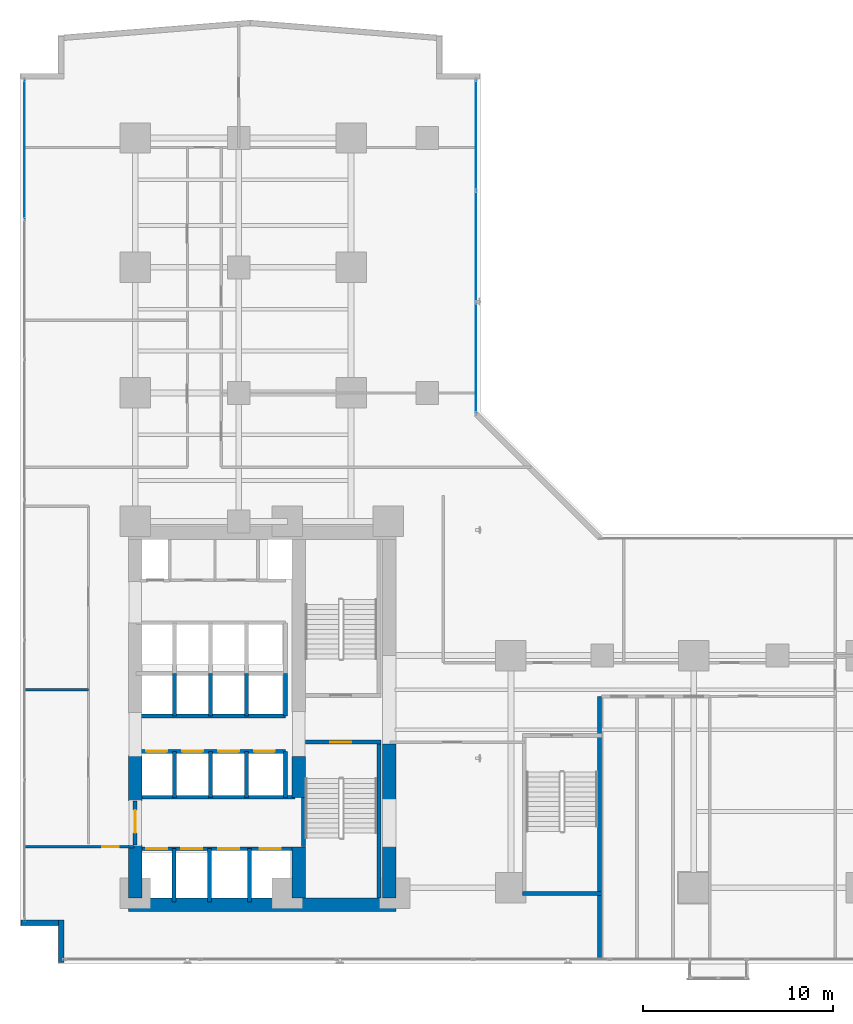
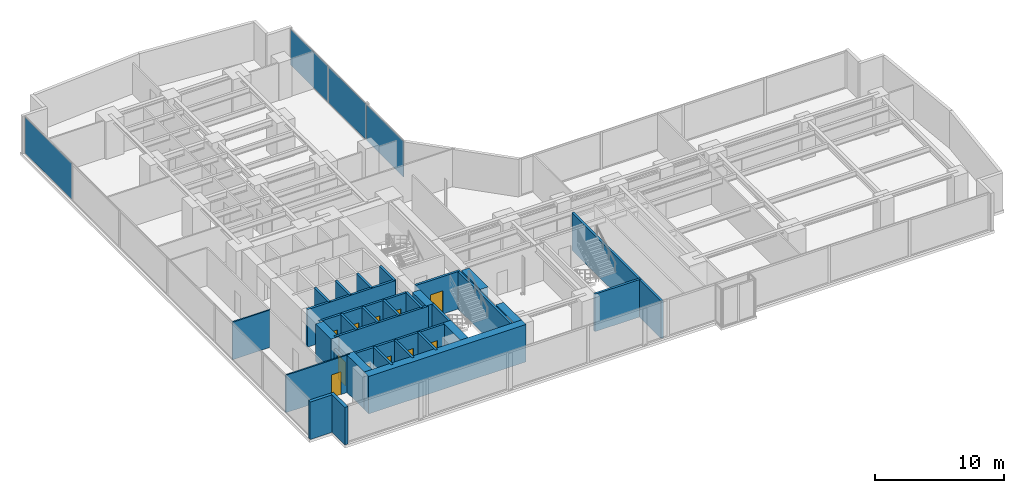
# One storey, part 22 of 28: 32 walls, 11 doors, 4 plates, 11 openings, 2 elements without a shape of their own.
"""IFC4 building model written with IfcOpenShell, lengths in metres."""

from ifc_helpers import new_model, si_unit, direction, frame, frame_2d, origin, origin_with_axes, origin_2d, place, context, subcontext, project, spatial, rectangle, extrude, source, transform, mapped, material, layer, layer_set, type_object, element, fill, aggregate, save


model = new_model("IFC4")

# Units and contexts
model_context = context("Model", 3, precision=1e-05, world=origin(), true_north=direction((0.0, 1.0)))
body_context = subcontext(model_context, "Body", "Model", "MODEL_VIEW")
ifc_project = project(units=[si_unit("LENGTHUNIT", "METRE"), si_unit("AREAUNIT", "SQUARE_METRE"), si_unit("VOLUMEUNIT", "CUBIC_METRE"), si_unit("PLANEANGLEUNIT", "RADIAN"), si_unit("MASSUNIT", "GRAM", prefix="KILO")], contexts=[model_context])

# Site, building, storey
site_placement = place(None, origin())
site = spatial("IfcSite", under=ifc_project, at=site_placement, CompositionType="ELEMENT")
building_placement = place(site_placement, origin())
building = spatial("IfcBuilding", under=site, at=building_placement, Name="Kolvaren Waterfront Exchange", CompositionType="ELEMENT")
storey_placement = place(building_placement, frame((0.0, 0.0, 41.0)))
storey = spatial("IfcBuildingStorey", under=building, at=storey_placement, Name="L10", CompositionType="ELEMENT", Elevation=41.0)

# Curtain wall, plate
ifc_material_1 = material(Name="Anodised aluminium 6063-T6", Category="aluminium")
ifc_layer_1 = layer(ifc_material_1, 0.219970703125, Name="Anodised aluminium 6063-T6")
ifc_layer_set_1 = layer_set([ifc_layer_1], Name="Anodised aluminium 6063-T6")
curtain_wall_type_1 = type_object("IfcCurtainWallType", Name="ARC-CW-SYS2", PredefinedType="USERDEFINED", material=ifc_layer_set_1)
curtain_wall_1_placement = place(storey_placement, origin())
curtain_wall_1 = element("IfcCurtainWall", 1, at=curtain_wall_1_placement, inside=storey, type_object=curtain_wall_type_1, Name="L10 stick curtain wall CW2 (CW-L10-W)", ObjectType="STICK CURTAIN WALL", PredefinedType="USERDEFINED")
ifc_material_2 = material(Name="Acoustic laminated vision glass", Category="glass")
ifc_layer_2 = layer(ifc_material_2, 0.031982421875, Name="Acoustic laminated vision glass")
ifc_layer_set_2 = layer_set([ifc_layer_2], Name="Acoustic laminated vision glass")
plate_type_1 = type_object("IfcPlateType", Name="ARC-CWP-32", PredefinedType="CURTAIN_PANEL", material=ifc_layer_set_2)
shared_shape_1 = source(origin_with_axes(), body_context, "Body", "SweptSolid", [
    extrude(rectangle(XDim=7.24658203125, YDim=0.031982421875, at=origin_2d()), origin(), (0.0, 0.0, 1.0), 3.389892578125),
])
plate_1_placement = place(storey_placement, frame((1.639892578125, 43.99658203125, 0.0751953125), z_axis=(0.0, 0.0, 1.0), x_axis=(0.0, 1.0, 0.0)))
plate_1 = element("IfcPlate", 2, at=plate_1_placement, type_object=plate_type_1, Name="CW2 panel 6.1", PredefinedType="CURTAIN_PANEL", context=body_context, shape_type="MappedRepresentation", body=[
    mapped(shared_shape_1, transform((0.0, 0.0, 0.0), x_axis=(1.0, 0.0, 0.0), y_axis=(0.0, 1.0, 0.0), z_axis=(0.0, 0.0, 1.0), scale=1.0)),
])
aggregate(curtain_wall_1, [plate_1])

# Curtain wall, plates
ifc_material_3 = material(Name="Anodised bronze aluminium 6063-T6", Category="aluminium")
ifc_layer_3 = layer(ifc_material_3, 0.219970703125, Name="Anodised bronze aluminium 6063-T6")
ifc_layer_set_3 = layer_set([ifc_layer_3], Name="Anodised bronze aluminium 6063-T6")
curtain_wall_type_2 = type_object("IfcCurtainWallType", Name="ARC-CW-SYS1", PredefinedType="USERDEFINED", material=ifc_layer_set_3)
curtain_wall_2_placement = place(storey_placement, origin())
curtain_wall_2 = element("IfcCurtainWall", 3, at=curtain_wall_2_placement, inside=storey, type_object=curtain_wall_type_2, Name="L10 stick curtain wall CW1 (CW-L10-NE)", ObjectType="STICK CURTAIN WALL", PredefinedType="USERDEFINED")
ifc_material_4 = material(Name="Bronze solar control vision glass", Category="aluminium")
ifc_layer_4 = layer(ifc_material_4, 0.028076171875, Name="Bronze solar control vision glass")
ifc_layer_set_4 = layer_set([ifc_layer_4], Name="Bronze solar control vision glass")
plate_type_2 = type_object("IfcPlateType", Name="ARC-CWP-28", PredefinedType="CURTAIN_PANEL", material=ifc_layer_set_4)
shared_shape_2 = source(origin_with_axes(), body_context, "Body", "SweptSolid", [
    extrude(rectangle(XDim=5.75, YDim=0.028076171875, at=origin_2d()), origin(), (0.0, 0.0, 1.0), 3.389892578125),
])
plate_2_placement = place(storey_placement, frame((25.360107421875, 33.044921875, 0.0751953125), z_axis=(0.0, 0.0, 1.0), x_axis=(0.0, 1.0, 0.0)))
plate_2 = element("IfcPlate", 4, at=plate_2_placement, type_object=plate_type_2, Name="CW1 panel 1.1", PredefinedType="CURTAIN_PANEL", context=body_context, shape_type="MappedRepresentation", body=[
    mapped(shared_shape_2, transform((0.0, 0.0, 0.0), x_axis=(1.0, 0.0, 0.0), y_axis=(0.0, 1.0, 0.0), z_axis=(0.0, 0.0, 1.0), scale=1.0)),
])
plate_3_placement = place(storey_placement, frame((25.360107421875, 44.7451171875, 0.0751953125), z_axis=(0.0, 0.0, 1.0), x_axis=(0.0, 1.0, 0.0)))
plate_3 = element("IfcPlate", 5, at=plate_3_placement, type_object=plate_type_2, Name="CW1 panel 3.1", PredefinedType="CURTAIN_PANEL", context=body_context, shape_type="MappedRepresentation", body=[
    mapped(shared_shape_2, transform((0.0, 0.0, 0.0), x_axis=(1.0, 0.0, 0.0), y_axis=(0.0, 1.0, 0.0), z_axis=(0.0, 0.0, 1.0), scale=1.0)),
])
shared_shape_3 = source(origin_with_axes(), body_context, "Body", "SweptSolid", [
    extrude(rectangle(XDim=5.7900390625, YDim=0.028076171875, at=origin_2d()), origin(), (0.0, 0.0, 1.0), 3.389892578125),
])
plate_4_placement = place(storey_placement, frame((25.360107421875, 38.89501953125, 0.0751953125), z_axis=(0.0, 0.0, 1.0), x_axis=(0.0, 1.0, 0.0)))
plate_4 = element("IfcPlate", 6, at=plate_4_placement, type_object=plate_type_2, Name="CW1 panel 2.1", PredefinedType="CURTAIN_PANEL", context=body_context, shape_type="MappedRepresentation", body=[
    mapped(shared_shape_3, transform((0.0, 0.0, 0.0), x_axis=(1.0, 0.0, 0.0), y_axis=(0.0, 1.0, 0.0), z_axis=(0.0, 0.0, 1.0), scale=1.0)),
])
aggregate(curtain_wall_2, [plate_2, plate_4, plate_3])

# Walls
ifc_material_5 = material(Name="Precast concrete C40/50", Category="concrete")
ifc_layer_5 = layer(ifc_material_5, 0.280029296875, Name="Precast concrete C40/50")
ifc_layer_set_5 = layer_set([ifc_layer_5], Name="Precast concrete C40/50")
wall_type_1 = type_object("IfcWallType", Name="ARC-EXT-TERR-280", PredefinedType="SOLIDWALL", material=ifc_layer_set_5)
wall_1_placement = place(storey_placement, frame((3.56005859375, 1.260009765625, 0.0), z_axis=(0.0, 0.0, 1.0), x_axis=(0.0, 1.0, 0.0)))
element("IfcWall", 7, at=wall_1_placement, inside=storey, type_object=wall_type_1, Name="L10 notched corner spandrel pier SW-A", PredefinedType="SOLIDWALL", context=body_context, shape_type="SweptSolid", body=[
    extrude(rectangle(XDim=2.239990234375, YDim=0.280029296875, at=frame_2d((1.1201171875, 0.0))), origin(), (0.0, 0.0, 1.0), 3.5400390625),
])
wall_2_placement = place(storey_placement, frame((1.4599609375, 3.360107421875, 0.0), z_axis=(0.0, 0.0, 1.0), x_axis=(1.0, 0.0, 0.0)))
element("IfcWall", 8, at=wall_2_placement, inside=storey, type_object=wall_type_1, Name="L10 notched corner spandrel pier SW-B", PredefinedType="SOLIDWALL", context=body_context, shape_type="SweptSolid", body=[
    extrude(rectangle(XDim=1.9599609375, YDim=0.280029296875, at=frame_2d((0.97998046875, 0.0))), origin(), (0.0, 0.0, 1.0), 3.5400390625),
])

# Wall, opening, door
ifc_layer_6 = layer(ifc_material_5, 0.199951171875, Name="Precast concrete C40/50")
ifc_layer_set_6 = layer_set([ifc_layer_6], Name="Precast concrete C40/50")
wall_type_2 = type_object("IfcWallType", Name="ARC-FIRE-200", PredefinedType="PARTITIONING", material=ifc_layer_set_6)
wall_3_placement = place(storey_placement, frame((16.39990234375, 12.85009765625, 0.0), z_axis=(0.0, 0.0, 1.0), x_axis=(1.0, 0.0, 0.0)))
wall_3 = element("IfcWall", 9, at=wall_3_placement, inside=storey, type_object=wall_type_2, Name="L10 interior wall PW-L10-ST1-THROAT-S", PredefinedType="PARTITIONING", context=body_context, shape_type="SweptSolid", body=[
    extrude(rectangle(XDim=3.960205078125, YDim=0.199951171875, at=frame_2d((1.97998046875, 0.0))), origin(), (0.0, 0.0, 1.0), 3.5400390625),
])
opening_1_placement = place(wall_3_placement, frame((1.3037109375, 0.0, 0.0)))
opening_1 = element("IfcOpeningElement", 10, at=opening_1_placement, cuts=wall_3, Name="Opening FD2", PredefinedType="OPENING", context=body_context, shape_type="SweptSolid", body=[
    extrude(rectangle(XDim=1.10009765625, YDim=2.199951171875, at=frame_2d((0.550048828125, 1.10009765625))), frame((0.0, 0.10986328125, 0.0), z_axis=(0.0, -1.0, 0.0), x_axis=(1.0, 0.0, 0.0)), (0.0, 0.0, 1.0), 0.219970703125),
])
ifc_material_6 = material(Name="Pressed steel smoke-seal fire door", Category="steel")
door_type_1 = type_object("IfcDoorType", Name="ARC-FD-1100", OperationType="NOTDEFINED", PredefinedType="DOOR", material=ifc_material_6)
door_1_placement = place(opening_1_placement, frame((1.10009765625, 0.0, 0.0), z_axis=(0.0, 0.0, 1.0), x_axis=(-1.0, 0.0, 0.0)))
door_1 = element("IfcDoor", 11, at=door_1_placement, inside=storey, type_object=door_type_1, Name="L10 door DR-L10-ST1-IN (FD2)", OperationType="SINGLE_SWING_LEFT", OverallHeight=2.199951171875, OverallWidth=1.10009765625, PredefinedType="DOOR", context=body_context, shape_type="SweptSolid", body=[
    extrude(rectangle(XDim=1.10009765625, YDim=2.199951171875, at=frame_2d((0.550048828125, 1.10009765625))), frame((0.0, 0.02490234375, 0.0), z_axis=(0.0, -1.0, 0.0), x_axis=(1.0, 0.0, 0.0)), (0.0, 0.0, 1.0), 0.050048828125),
])
fill(opening_1, door_1)

# Wall
wall_4_placement = place(storey_placement, frame((7.5, 9.949951171875, 0.0), z_axis=(0.0, 0.0, 1.0), x_axis=(1.0, 0.0, 0.0)))
element("IfcWall", 12, at=wall_4_placement, inside=storey, type_object=wall_type_2, Name="L10 interior wall PW-L10-FF-N", PredefinedType="PARTITIONING", context=body_context, shape_type="SweptSolid", body=[
    extrude(rectangle(XDim=8.35009765625, YDim=0.199951171875, at=frame_2d((4.175048828125, 0.0))), origin(), (0.0, 0.0, 1.0), 3.5400390625),
])

# Wall, opening, door
wall_5_placement = place(storey_placement, frame((7.449951171875, 7.449951171875, 0.0), z_axis=(0.0, 0.0, 1.0), x_axis=(0.0, 1.0, 0.0)))
wall_5 = element("IfcWall", 13, at=wall_5_placement, inside=storey, type_object=wall_type_2, Name="L10 interior wall PW-L10-FF-W-DOOR", PredefinedType="PARTITIONING", context=body_context, shape_type="SweptSolid", body=[
    extrude(rectangle(XDim=2.300048828125, YDim=0.199951171875, at=frame_2d((1.14990234375, 0.0))), origin(), (0.0, 0.0, 1.0), 2.52001953125),
])
opening_2_placement = place(wall_5_placement, frame((0.63330078125, 0.0, 0.0)))
opening_2 = element("IfcOpeningElement", 14, at=opening_2_placement, cuts=wall_5, Name="Opening FD3", PredefinedType="OPENING", context=body_context, shape_type="SweptSolid", body=[
    extrude(rectangle(XDim=1.199951171875, YDim=2.25, at=frame_2d((0.60009765625, 1.125))), frame((0.0, 0.10986328125, 0.0), z_axis=(0.0, -1.0, 0.0), x_axis=(1.0, 0.0, 0.0)), (0.0, 0.0, 1.0), 0.219970703125),
])
ifc_material_7 = material(Name="Pressed steel fire door", Category="steel")
door_type_2 = type_object("IfcDoorType", Name="ARC-FD-1200", OperationType="NOTDEFINED", PredefinedType="DOOR", material=ifc_material_7)
door_2_placement = place(opening_2_placement, frame((1.199951171875, 0.0, 0.0), z_axis=(0.0, 0.0, 1.0), x_axis=(-1.0, 0.0, 0.0)))
door_2 = element("IfcDoor", 15, at=door_2_placement, inside=storey, type_object=door_type_2, Name="L10 door DR-L10-FF-OUT (FD3)", OperationType="SINGLE_SWING_RIGHT", OverallHeight=2.25, OverallWidth=1.199951171875, PredefinedType="DOOR", context=body_context, shape_type="SweptSolid", body=[
    extrude(rectangle(XDim=1.199951171875, YDim=2.25, at=frame_2d((0.60009765625, 1.125))), frame((0.0, 0.02490234375, 0.0), z_axis=(0.0, -1.0, 0.0), x_axis=(1.0, 0.0, 0.0)), (0.0, 0.0, 1.0), 0.050048828125),
])
fill(opening_2, door_2)

ifc_material_8 = material(Name="Acoustic gypsum steel stud", Category="steel")
ifc_layer_7 = layer(ifc_material_8, 0.125, Name="Acoustic gypsum steel stud")
ifc_layer_set_7 = layer_set([ifc_layer_7], Name="Acoustic gypsum steel stud")
wall_type_3 = type_object("IfcWallType", Name="ARC-PART-125", PredefinedType="PARTITIONING", material=ifc_layer_set_7)
wall_6_placement = place(storey_placement, frame((1.639892578125, 7.35009765625, 0.0), z_axis=(0.0, 0.0, 1.0), x_axis=(1.0, 0.0, 0.0)))
wall_6 = element("IfcWall", 16, at=wall_6_placement, inside=storey, type_object=wall_type_3, Name="L10 interior wall PW-L10-SWC-N", PredefinedType="PARTITIONING", context=body_context, shape_type="SweptSolid", body=[
    extrude(rectangle(XDim=5.760009765625, YDim=0.125, at=frame_2d((2.8798828125, 0.0))), origin(), (0.0, 0.0, 1.0), 3.5400390625),
])
opening_3_placement = place(wall_6_placement, frame((4.086669921875, 0.0, 0.0)))
opening_3 = element("IfcOpeningElement", 17, at=opening_3_placement, cuts=wall_6, Name="Opening D01", PredefinedType="OPENING", context=body_context, shape_type="SweptSolid", body=[
    extrude(rectangle(XDim=0.85009765625, YDim=2.14990234375, at=frame_2d((0.425048828125, 1.074951171875))), frame((0.0, 0.072509765625, 0.0), z_axis=(0.0, -1.0, 0.0), x_axis=(1.0, 0.0, 0.0)), (0.0, 0.0, 1.0), 0.14501953125),
])
ifc_material_9 = material(Name="Oak veneer timber leaf", Category="wood")
door_type_3 = type_object("IfcDoorType", Name="ARC-DR-900", OperationType="NOTDEFINED", PredefinedType="DOOR", material=ifc_material_9)
door_3_placement = place(opening_3_placement, origin())
door_3 = element("IfcDoor", 18, at=door_3_placement, inside=storey, type_object=door_type_3, Name="L10 door DR-L10-SWC-D (D01)", OperationType="SINGLE_SWING_LEFT", OverallHeight=2.14990234375, OverallWidth=0.85009765625, PredefinedType="DOOR", context=body_context, shape_type="SweptSolid", body=[
    extrude(rectangle(XDim=0.85009765625, YDim=2.14990234375, at=frame_2d((0.425048828125, 1.074951171875))), frame((0.0, 0.02490234375, 0.0), z_axis=(0.0, -1.0, 0.0), x_axis=(1.0, 0.0, 0.0)), (0.0, 0.0, 1.0), 0.050048828125),
])
fill(opening_3, door_3)

# Walls
wall_7_placement = place(storey_placement, frame((1.639892578125, 15.60009765625, 0.0), z_axis=(0.0, 0.0, 1.0), x_axis=(1.0, 0.0, 0.0)))
element("IfcWall", 19, at=wall_7_placement, inside=storey, type_object=wall_type_3, Name="L10 interior wall PW-L10-WFLANK-MID", PredefinedType="PARTITIONING", context=body_context, shape_type="SweptSolid", body=[
    extrude(rectangle(XDim=3.360107421875, YDim=0.125, at=frame_2d((1.68017578125, 0.0))), origin(), (0.0, 0.0, 1.0), 3.5400390625),
])
ifc_material_10 = material(Name="Concrete C40/50", Category="concrete")
ifc_layer_8 = layer(ifc_material_10, 0.199951171875, Name="Concrete C40/50")
ifc_layer_set_8 = layer_set([ifc_layer_8], Name="Concrete C40/50")
wall_type_4 = type_object("IfcWallType", Name="ARC-SHAFT-200", PredefinedType="PARTITIONING", material=ifc_layer_set_8)
wall_8_placement = place(storey_placement, frame((16.300048828125, 7.360107421875, 0.0), z_axis=(0.0, 0.0, 1.0), x_axis=(0.0, 1.0, 0.0)))
element("IfcWall", 20, at=wall_8_placement, inside=storey, type_object=wall_type_4, Name="L10 structural stairwell wall PW-L10-ST1-W", PredefinedType="SHEAR", context=body_context, shape_type="SweptSolid", body=[
    extrude(rectangle(XDim=2.579833984375, YDim=0.199951171875, at=frame_2d((1.2900390625, 0.0))), origin(), (0.0, 0.0, 1.0), 3.5400390625),
])
wall_9_placement = place(storey_placement, frame((20.260009765625, 4.659912109375, 0.0), z_axis=(0.0, 0.0, 1.0), x_axis=(0.0, 1.0, 0.0)))
element("IfcWall", 21, at=wall_9_placement, inside=storey, type_object=wall_type_4, Name="L10 structural stairwell wall PW-L10-ST1-E", PredefinedType="SHEAR", context=body_context, shape_type="SweptSolid", body=[
    extrude(rectangle(XDim=8.090087890625, YDim=0.199951171875, at=frame_2d((4.044921875, 0.0))), origin(), (0.0, 0.0, 1.0), 3.5400390625),
])
wall_10_placement = place(storey_placement, frame((31.860107421875, 1.43994140625, 0.0), z_axis=(0.0, 0.0, 1.0), x_axis=(0.0, 1.0, 0.0)))
element("IfcWall", 22, at=wall_10_placement, inside=storey, type_object=wall_type_4, Name="L10 structural stairwell wall PW-L10-ST3-E", PredefinedType="SHEAR", context=body_context, shape_type="SweptSolid", body=[
    extrude(rectangle(XDim=13.81005859375, YDim=0.199951171875, at=frame_2d((6.905029296875, 0.0))), origin(), (0.0, 0.0, 1.0), 3.5400390625),
])
wall_11_placement = place(storey_placement, frame((27.800048828125, 4.89990234375, 0.0), z_axis=(0.0, 0.0, 1.0), x_axis=(1.0, 0.0, 0.0)))
element("IfcWall", 23, at=wall_11_placement, inside=storey, type_object=wall_type_4, Name="L10 structural stairwell wall PW-L10-ST3-S", PredefinedType="SHEAR", context=body_context, shape_type="SweptSolid", body=[
    extrude(rectangle(XDim=4.159912109375, YDim=0.199951171875, at=frame_2d((2.080078125, 0.0))), origin(), (0.0, 0.0, 1.0), 3.5400390625),
])

# Wall, openings, doors
wall_12_placement = place(storey_placement, frame((7.5, 7.25, 0.0), z_axis=(0.0, 0.0, 1.0), x_axis=(1.0, 0.0, 0.0)))
wall_12 = element("IfcWall", 24, at=wall_12_placement, inside=storey, type_object=wall_type_4, Name="L10 interior wall PW-L10-FF-S", PredefinedType="PARTITIONING", context=body_context, shape_type="SweptSolid", body=[
    extrude(rectangle(XDim=8.35009765625, YDim=0.199951171875, at=frame_2d((4.175048828125, 0.0))), origin(), (0.0, 0.0, 1.0), 3.5400390625),
])
opening_4_placement = place(wall_12_placement, frame((0.530029296875, 0.0, 0.0)))
opening_4 = element("IfcOpeningElement", 25, at=opening_4_placement, cuts=wall_12, Name="Opening LD1", PredefinedType="OPENING", context=body_context, shape_type="SweptSolid", body=[
    extrude(rectangle(XDim=1.10009765625, YDim=2.199951171875, at=frame_2d((0.550048828125, 1.10009765625))), frame((0.0, 0.10986328125, 0.0), z_axis=(0.0, -1.0, 0.0), x_axis=(1.0, 0.0, 0.0)), (0.0, 0.0, 1.0), 0.219970703125),
])
opening_5_placement = place(wall_12_placement, frame((2.3701171875, 0.0, 0.0)))
opening_5 = element("IfcOpeningElement", 26, at=opening_5_placement, cuts=wall_12, Name="Opening LD1", PredefinedType="OPENING", context=body_context, shape_type="SweptSolid", body=[
    extrude(rectangle(XDim=1.10009765625, YDim=2.199951171875, at=frame_2d((0.550048828125, 1.10009765625))), frame((0.0, 0.10986328125, 0.0), z_axis=(0.0, -1.0, 0.0), x_axis=(1.0, 0.0, 0.0)), (0.0, 0.0, 1.0), 0.219970703125),
])
opening_6_placement = place(wall_12_placement, frame((4.330078125, 0.0, 0.0)))
opening_6 = element("IfcOpeningElement", 27, at=opening_6_placement, cuts=wall_12, Name="Opening LD1", PredefinedType="OPENING", context=body_context, shape_type="SweptSolid", body=[
    extrude(rectangle(XDim=1.10009765625, YDim=2.199951171875, at=frame_2d((0.550048828125, 1.10009765625))), frame((0.0, 0.10986328125, 0.0), z_axis=(0.0, -1.0, 0.0), x_axis=(1.0, 0.0, 0.0)), (0.0, 0.0, 1.0), 0.219970703125),
])
opening_7_placement = place(wall_12_placement, frame((6.5, 0.0, 0.0)))
opening_7 = element("IfcOpeningElement", 28, at=opening_7_placement, cuts=wall_12, Name="Opening LD1", PredefinedType="OPENING", context=body_context, shape_type="SweptSolid", body=[
    extrude(rectangle(XDim=1.10009765625, YDim=2.199951171875, at=frame_2d((0.550048828125, 1.10009765625))), frame((0.0, 0.10986328125, 0.0), z_axis=(0.0, -1.0, 0.0), x_axis=(1.0, 0.0, 0.0)), (0.0, 0.0, 1.0), 0.219970703125),
])
ifc_material_11 = material(Name="Stainless steel sliding landing door", Category="steel")
door_type_4 = type_object("IfcDoorType", Name="ARC-LD-FF", OperationType="SLIDING_TO_LEFT", PredefinedType="DOOR", material=ifc_material_11)
door_4_placement = place(opening_4_placement, origin())
door_4 = element("IfcDoor", 29, at=door_4_placement, inside=storey, type_object=door_type_4, Name="L10 door LD-L10-FFL1 (LD1)", OperationType="SLIDING_TO_LEFT", OverallHeight=2.199951171875, OverallWidth=1.10009765625, PredefinedType="DOOR", context=body_context, shape_type="SweptSolid", body=[
    extrude(rectangle(XDim=1.10009765625, YDim=2.199951171875, at=frame_2d((0.550048828125, 1.10009765625))), frame((0.0, 0.02490234375, 0.0), z_axis=(0.0, -1.0, 0.0), x_axis=(1.0, 0.0, 0.0)), (0.0, 0.0, 1.0), 0.050048828125),
])
fill(opening_4, door_4)
door_5_placement = place(opening_5_placement, origin())
door_5 = element("IfcDoor", 30, at=door_5_placement, inside=storey, type_object=door_type_4, Name="L10 door LD-L10-FFL2 (LD1)", OperationType="SLIDING_TO_LEFT", OverallHeight=2.199951171875, OverallWidth=1.10009765625, PredefinedType="DOOR", context=body_context, shape_type="SweptSolid", body=[
    extrude(rectangle(XDim=1.10009765625, YDim=2.199951171875, at=frame_2d((0.550048828125, 1.10009765625))), frame((0.0, 0.02490234375, 0.0), z_axis=(0.0, -1.0, 0.0), x_axis=(1.0, 0.0, 0.0)), (0.0, 0.0, 1.0), 0.050048828125),
])
fill(opening_5, door_5)
door_6_placement = place(opening_6_placement, origin())
door_6 = element("IfcDoor", 31, at=door_6_placement, inside=storey, type_object=door_type_4, Name="L10 door LD-L10-GL1 (LD1)", OperationType="SLIDING_TO_LEFT", OverallHeight=2.199951171875, OverallWidth=1.10009765625, PredefinedType="DOOR", context=body_context, shape_type="SweptSolid", body=[
    extrude(rectangle(XDim=1.10009765625, YDim=2.199951171875, at=frame_2d((0.550048828125, 1.10009765625))), frame((0.0, 0.02490234375, 0.0), z_axis=(0.0, -1.0, 0.0), x_axis=(1.0, 0.0, 0.0)), (0.0, 0.0, 1.0), 0.050048828125),
])
fill(opening_6, door_6)
door_7_placement = place(opening_7_placement, origin())
door_7 = element("IfcDoor", 32, at=door_7_placement, inside=storey, type_object=door_type_4, Name="L10 door LD-L10-GL2 (LD1)", OperationType="SLIDING_TO_LEFT", OverallHeight=2.199951171875, OverallWidth=1.10009765625, PredefinedType="DOOR", context=body_context, shape_type="SweptSolid", body=[
    extrude(rectangle(XDim=1.10009765625, YDim=2.199951171875, at=frame_2d((0.550048828125, 1.10009765625))), frame((0.0, 0.02490234375, 0.0), z_axis=(0.0, -1.0, 0.0), x_axis=(1.0, 0.0, 0.0)), (0.0, 0.0, 1.0), 0.050048828125),
])
fill(opening_7, door_7)

# Walls
for number, where, z_axis, x_axis, name in (
    (33, (9.5, 4.449951171875, 0.0), (0.0, 0.0, 1.0), (0.0, 1.0, 0.0), "L10 interior wall PW-L10-SH1-DIV-95"),
    (34, (11.360107421875, 4.449951171875, 0.0), (0.0, 0.0, 1.0), (0.0, 1.0, 0.0), "L10 interior wall PW-L10-SH1-DIV-113"),
    (35, (13.4599609375, 4.449951171875, 0.0), (0.0, 0.0, 1.0), (0.0, 1.0, 0.0), "L10 interior wall PW-L10-SH1-DIV-134"),
):
    element("IfcWall", number, at=place(storey_placement, frame(where, z_axis=z_axis, x_axis=x_axis)), inside=storey, type_object=wall_type_4, Name=name, PredefinedType="PARTITIONING", context=body_context, shape_type="SweptSolid", body=[
        extrude(rectangle(XDim=2.800048828125, YDim=0.199951171875, at=frame_2d((1.39990234375, 0.0))), origin(), (0.0, 0.0, 1.0), 3.5400390625),
    ])

# Wall, openings, doors
wall_13_placement = place(storey_placement, frame((7.5, 12.360107421875, 0.0), z_axis=(0.0, 0.0, 1.0), x_axis=(1.0, 0.0, 0.0)))
wall_13 = element("IfcWall", 36, at=wall_13_placement, inside=storey, type_object=wall_type_4, Name="L10 interior wall PW-L10-PL-N", PredefinedType="PARTITIONING", context=body_context, shape_type="SweptSolid", body=[
    extrude(rectangle(XDim=7.85009765625, YDim=0.199951171875, at=frame_2d((3.925048828125, 0.0))), origin(), (0.0, 0.0, 1.0), 3.5400390625),
])
opening_8_placement = place(wall_13_placement, frame((0.530029296875, 0.0, 0.0)))
opening_8 = element("IfcOpeningElement", 37, at=opening_8_placement, cuts=wall_13, Name="Opening LD2", PredefinedType="OPENING", context=body_context, shape_type="SweptSolid", body=[
    extrude(rectangle(XDim=1.10009765625, YDim=2.199951171875, at=frame_2d((0.550048828125, 1.10009765625))), frame((0.0, 0.10986328125, 0.0), z_axis=(0.0, -1.0, 0.0), x_axis=(1.0, 0.0, 0.0)), (0.0, 0.0, 1.0), 0.219970703125),
])
opening_9_placement = place(wall_13_placement, frame((2.419921875, 0.0, 0.0)))
opening_9 = element("IfcOpeningElement", 38, at=opening_9_placement, cuts=wall_13, Name="Opening LD2", PredefinedType="OPENING", context=body_context, shape_type="SweptSolid", body=[
    extrude(rectangle(XDim=1.10009765625, YDim=2.199951171875, at=frame_2d((0.550048828125, 1.10009765625))), frame((0.0, 0.10986328125, 0.0), z_axis=(0.0, -1.0, 0.0), x_axis=(1.0, 0.0, 0.0)), (0.0, 0.0, 1.0), 0.219970703125),
])
opening_10_placement = place(wall_13_placement, frame((4.31005859375, 0.0, 0.0)))
opening_10 = element("IfcOpeningElement", 39, at=opening_10_placement, cuts=wall_13, Name="Opening LD2", PredefinedType="OPENING", context=body_context, shape_type="SweptSolid", body=[
    extrude(rectangle(XDim=1.10009765625, YDim=2.199951171875, at=frame_2d((0.550048828125, 1.10009765625))), frame((0.0, 0.10986328125, 0.0), z_axis=(0.0, -1.0, 0.0), x_axis=(1.0, 0.0, 0.0)), (0.0, 0.0, 1.0), 0.219970703125),
])
opening_11_placement = place(wall_13_placement, frame((6.199951171875, 0.0, 0.0)))
opening_11 = element("IfcOpeningElement", 40, at=opening_11_placement, cuts=wall_13, Name="Opening LD2", PredefinedType="OPENING", context=body_context, shape_type="SweptSolid", body=[
    extrude(rectangle(XDim=1.10009765625, YDim=2.199951171875, at=frame_2d((0.550048828125, 1.10009765625))), frame((0.0, 0.10986328125, 0.0), z_axis=(0.0, -1.0, 0.0), x_axis=(1.0, 0.0, 0.0)), (0.0, 0.0, 1.0), 0.219970703125),
])
ifc_material_12 = material(Name="Brushed bronze sliding landing door", Category="aluminium")
door_type_5 = type_object("IfcDoorType", Name="ARC-LD-PAX", OperationType="SLIDING_TO_LEFT", PredefinedType="DOOR", material=ifc_material_12)
door_8_placement = place(opening_8_placement, origin())
door_8 = element("IfcDoor", 41, at=door_8_placement, inside=storey, type_object=door_type_5, Name="L10 door LD-L10-PL1 (LD2)", OperationType="SLIDING_TO_LEFT", OverallHeight=2.199951171875, OverallWidth=1.10009765625, PredefinedType="DOOR", context=body_context, shape_type="SweptSolid", body=[
    extrude(rectangle(XDim=1.10009765625, YDim=2.199951171875, at=frame_2d((0.550048828125, 1.10009765625))), frame((0.0, 0.02490234375, 0.0), z_axis=(0.0, -1.0, 0.0), x_axis=(1.0, 0.0, 0.0)), (0.0, 0.0, 1.0), 0.050048828125),
])
fill(opening_8, door_8)
door_9_placement = place(opening_9_placement, origin())
door_9 = element("IfcDoor", 42, at=door_9_placement, inside=storey, type_object=door_type_5, Name="L10 door LD-L10-PL2 (LD2)", OperationType="SLIDING_TO_LEFT", OverallHeight=2.199951171875, OverallWidth=1.10009765625, PredefinedType="DOOR", context=body_context, shape_type="SweptSolid", body=[
    extrude(rectangle(XDim=1.10009765625, YDim=2.199951171875, at=frame_2d((0.550048828125, 1.10009765625))), frame((0.0, 0.02490234375, 0.0), z_axis=(0.0, -1.0, 0.0), x_axis=(1.0, 0.0, 0.0)), (0.0, 0.0, 1.0), 0.050048828125),
])
fill(opening_9, door_9)
door_10_placement = place(opening_10_placement, origin())
door_10 = element("IfcDoor", 43, at=door_10_placement, inside=storey, type_object=door_type_5, Name="L10 door LD-L10-PL3 (LD2)", OperationType="SLIDING_TO_LEFT", OverallHeight=2.199951171875, OverallWidth=1.10009765625, PredefinedType="DOOR", context=body_context, shape_type="SweptSolid", body=[
    extrude(rectangle(XDim=1.10009765625, YDim=2.199951171875, at=frame_2d((0.550048828125, 1.10009765625))), frame((0.0, 0.02490234375, 0.0), z_axis=(0.0, -1.0, 0.0), x_axis=(1.0, 0.0, 0.0)), (0.0, 0.0, 1.0), 0.050048828125),
])
fill(opening_10, door_10)
door_11_placement = place(opening_11_placement, origin())
door_11 = element("IfcDoor", 44, at=door_11_placement, inside=storey, type_object=door_type_5, Name="L10 door LD-L10-PL4 (LD2)", OperationType="SLIDING_TO_LEFT", OverallHeight=2.199951171875, OverallWidth=1.10009765625, PredefinedType="DOOR", context=body_context, shape_type="SweptSolid", body=[
    extrude(rectangle(XDim=1.10009765625, YDim=2.199951171875, at=frame_2d((0.550048828125, 1.10009765625))), frame((0.0, 0.02490234375, 0.0), z_axis=(0.0, -1.0, 0.0), x_axis=(1.0, 0.0, 0.0)), (0.0, 0.0, 1.0), 0.050048828125),
])
fill(opening_11, door_11)

# Walls
for number, where, z_axis, x_axis, name in (
    (45, (15.35009765625, 9.949951171875, 0.0), (0.0, 0.0, 1.0), (0.0, 1.0, 0.0), "L10 interior wall PW-L10-PL-E"),
    (46, (9.52001953125, 9.949951171875, 0.0), (0.0, 0.0, 1.0), (0.0, 1.0, 0.0), "L10 interior wall PW-L10-SH2-DIV-95"),
    (47, (11.409912109375, 9.949951171875, 0.0), (0.0, 0.0, 1.0), (0.0, 1.0, 0.0), "L10 interior wall PW-L10-SH2-DIV-114"),
    (48, (13.300048828125, 9.949951171875, 0.0), (0.0, 0.0, 1.0), (0.0, 1.0, 0.0), "L10 interior wall PW-L10-SH2-DIV-133"),
):
    element("IfcWall", number, at=place(storey_placement, frame(where, z_axis=z_axis, x_axis=x_axis)), inside=storey, type_object=wall_type_4, Name=name, PredefinedType="PARTITIONING", context=body_context, shape_type="SweptSolid", body=[
        extrude(rectangle(XDim=2.41015625, YDim=0.199951171875, at=frame_2d((1.205078125, 0.0))), origin(), (0.0, 0.0, 1.0), 3.5400390625),
    ])
wall_14_placement = place(storey_placement, frame((7.5, 14.219970703125, 0.0), z_axis=(0.0, 0.0, 1.0), x_axis=(1.0, 0.0, 0.0)))
element("IfcWall", 49, at=wall_14_placement, inside=storey, type_object=wall_type_4, Name="L10 interior wall PW-L10-PM-S", PredefinedType="PARTITIONING", context=body_context, shape_type="SweptSolid", body=[
    extrude(rectangle(XDim=7.85009765625, YDim=0.199951171875, at=frame_2d((3.925048828125, 0.0))), origin(), (0.0, 0.0, 1.0), 3.5400390625),
])
for number, where, z_axis, x_axis, name in (
    (50, (15.35009765625, 14.219970703125, 0.0), (0.0, 0.0, 1.0), (0.0, 1.0, 0.0), "L10 interior wall PW-L10-PM-E"),
    (51, (9.52001953125, 14.219970703125, 0.0), (0.0, 0.0, 1.0), (0.0, 1.0, 0.0), "L10 interior wall PW-L10-SH3-DIV-95"),
    (52, (11.409912109375, 14.219970703125, 0.0), (0.0, 0.0, 1.0), (0.0, 1.0, 0.0), "L10 interior wall PW-L10-SH3-DIV-114"),
    (53, (13.300048828125, 14.219970703125, 0.0), (0.0, 0.0, 1.0), (0.0, 1.0, 0.0), "L10 interior wall PW-L10-SH3-DIV-133"),
):
    element("IfcWall", number, at=place(storey_placement, frame(where, z_axis=z_axis, x_axis=x_axis)), inside=storey, type_object=wall_type_4, Name=name, PredefinedType="PARTITIONING", context=body_context, shape_type="SweptSolid", body=[
        extrude(rectangle(XDim=2.22998046875, YDim=0.199951171875, at=frame_2d((1.114990234375, 0.0))), origin(), (0.0, 0.0, 1.0), 3.5400390625),
    ])
ifc_material_13 = material(Name="Concrete C70/85", Category="concrete")
ifc_layer_9 = layer(ifc_material_13, 0.699951171875, Name="Concrete C70/85")
ifc_layer_set_9 = layer_set([ifc_layer_9], Name="Concrete C70/85")
wall_type_5 = type_object("IfcWallType", Name="STR-CWALL-700", PredefinedType="SHEAR", material=ifc_layer_set_9)
wall_15_placement = place(storey_placement, frame((7.10009765625, 4.300048828125, 0.0), z_axis=(0.0, 0.0, 1.0), x_axis=(1.0, 0.0, 0.0)))
element("IfcWall", 54, at=wall_15_placement, inside=storey, type_object=wall_type_5, Name="L10 rear-core shear wall S", PredefinedType="SHEAR", context=body_context, shape_type="SweptSolid", body=[
    extrude(rectangle(XDim=14.0498046875, YDim=0.699951171875, at=frame_2d((7.02490234375, 0.0))), origin(), (0.0, 0.0, 1.0), 3.5400390625),
])
wall_16_placement = place(storey_placement, frame((7.449951171875, 4.64990234375, 0.0), z_axis=(0.0, 0.0, 1.0), x_axis=(0.0, 1.0, 0.0)))
element("IfcWall", 55, at=wall_16_placement, inside=storey, type_object=wall_type_5, Name="L10 rear-core shear wall W1", PredefinedType="SHEAR", context=body_context, shape_type="SweptSolid", body=[
    extrude(rectangle(XDim=2.800048828125, YDim=0.699951171875, at=frame_2d((1.39990234375, 0.0))), origin(), (0.0, 0.0, 1.0), 3.5400390625),
])
wall_17_placement = place(storey_placement, frame((7.449951171875, 9.75, 0.0), z_axis=(0.0, 0.0, 1.0), x_axis=(0.0, 1.0, 0.0)))
element("IfcWall", 56, at=wall_17_placement, inside=storey, type_object=wall_type_5, Name="L10 rear-core shear wall W2A", PredefinedType="SHEAR", context=body_context, shape_type="SweptSolid", body=[
    extrude(rectangle(XDim=2.39990234375, YDim=0.699951171875, at=frame_2d((1.199951171875, 0.0))), origin(), (0.0, 0.0, 1.0), 3.5400390625),
])
wall_18_placement = place(storey_placement, frame((20.800048828125, 4.64990234375, 0.0), z_axis=(0.0, 0.0, 1.0), x_axis=(0.0, 1.0, 0.0)))
element("IfcWall", 57, at=wall_18_placement, inside=storey, type_object=wall_type_5, Name="L10 rear-core shear wall E1", PredefinedType="SHEAR", context=body_context, shape_type="SweptSolid", body=[
    extrude(rectangle(XDim=2.75, YDim=0.699951171875, at=frame_2d((1.375, 0.0))), origin(), (0.0, 0.0, 1.0), 3.5400390625),
])
wall_19_placement = place(storey_placement, frame((20.800048828125, 9.800048828125, 0.0), z_axis=(0.0, 0.0, 1.0), x_axis=(0.0, 1.0, 0.0)))
element("IfcWall", 58, at=wall_19_placement, inside=storey, type_object=wall_type_5, Name="L10 rear-core shear wall E2", PredefinedType="SHEAR", context=body_context, shape_type="SweptSolid", body=[
    extrude(rectangle(XDim=2.949951171875, YDim=0.699951171875, at=frame_2d((1.47509765625, 0.0))), origin(), (0.0, 0.0, 1.0), 3.5400390625),
])
wall_20_placement = place(storey_placement, frame((16.050048828125, 4.64990234375, 0.0), z_axis=(0.0, 0.0, 1.0), x_axis=(0.0, 1.0, 0.0)))
element("IfcWall", 59, at=wall_20_placement, inside=storey, type_object=wall_type_5, Name="L10 rear-core shear wall M1", PredefinedType="SHEAR", context=body_context, shape_type="SweptSolid", body=[
    extrude(rectangle(XDim=2.7001953125, YDim=0.699951171875, at=frame_2d((1.35009765625, 0.0))), origin(), (0.0, 0.0, 1.0), 3.5400390625),
])
wall_21_placement = place(storey_placement, frame((16.050048828125, 9.949951171875, 0.0), z_axis=(0.0, 0.0, 1.0), x_axis=(0.0, 1.0, 0.0)))
element("IfcWall", 60, at=wall_21_placement, inside=storey, type_object=wall_type_5, Name="L10 rear-core shear wall M2", PredefinedType="SHEAR", context=body_context, shape_type="SweptSolid", body=[
    extrude(rectangle(XDim=2.150146484375, YDim=0.699951171875, at=frame_2d((1.0751953125, 0.0))), origin(), (0.0, 0.0, 1.0), 3.5400390625),
])

save(model, "model.ifc")
